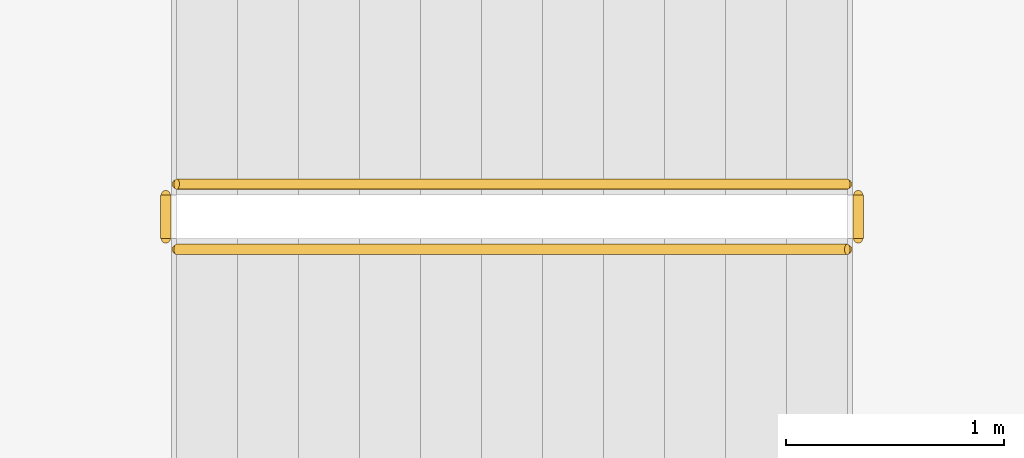
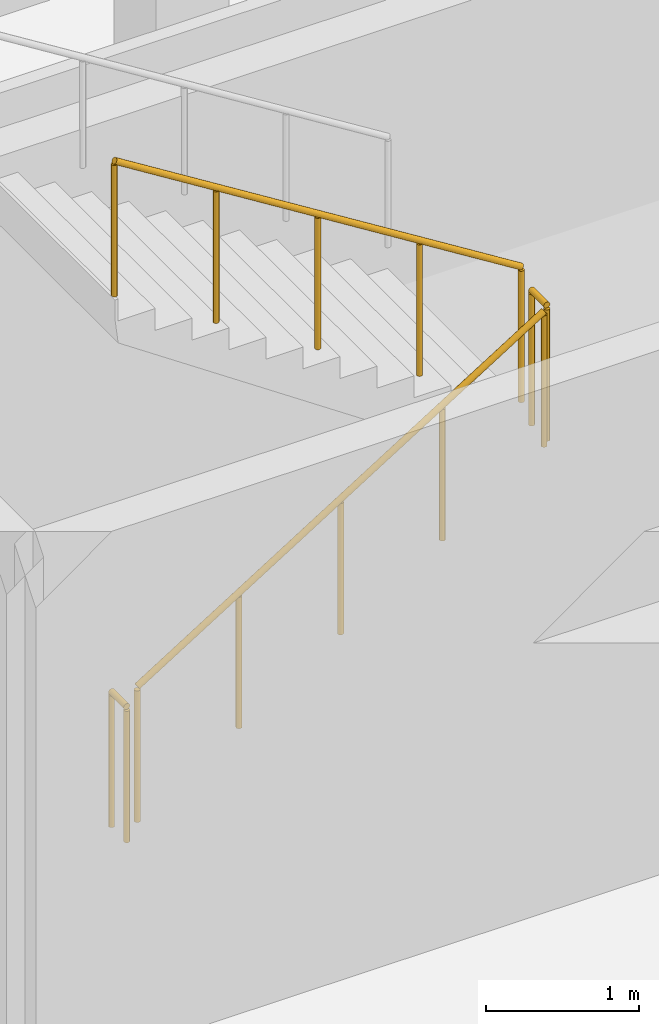
# One storey, part 40 of 42: 4 railings.
"""IFC4 building model written with IfcOpenShell, lengths in metres."""

import ifcopenshell
import ifcopenshell.guid

model = None  # the IFC model being written
_history = None  # IfcOwnerHistory: only IFC2X3 demands one
_inside = {}  # id of a spatial element -> (the spatial element, [elements in it])
_under = {}  # id of a project, library or spatial element -> (it, [spatial elements below it])
_declared = {}  # id of a project -> (the project, [libraries it declares])
_typed = {}  # id of a type object -> (the type object, [elements of that type])
_made_of = {}  # id of a material, layer set ... -> (it, [elements and type objects made of it])


def new_model(schema):
    """Start an empty IFC model of exactly this schema.

    Asked for "IFC4X3", IfcOpenShell would pick the latest addendum, in which some entities
    have other attributes; the version numbers below select the first issue.
    IFC2X3 requires an IfcOwnerHistory on every rooted entity: one is made here for all.
    """
    global model, _history
    if schema == "IFC4X3":
        model = ifcopenshell.file(schema_version=(4, 3, 0, 0))
    else:
        model = ifcopenshell.file(schema=schema)
    _inside.clear()
    _under.clear()
    _declared.clear()
    _typed.clear()
    _made_of.clear()
    _history = None
    if model.schema == "IFC2X3":
        org = make("IfcOrganization", Name="unknown")
        user = make(
            "IfcPersonAndOrganization",
            ThePerson=make("IfcPerson", FamilyName="unknown"),
            TheOrganization=org,
        )
        app = make(
            "IfcApplication",
            ApplicationDeveloper=org,
            Version="unknown",
            ApplicationFullName="unknown",
            ApplicationIdentifier="unknown",
        )
        _history = make(
            "IfcOwnerHistory",
            OwningUser=user,
            OwningApplication=app,
            ChangeAction="ADDED",
            CreationDate=0,
        )
    return model


def make(cls, **values):
    """One entity of the class cls with the attributes given. An attribute that is None is left unset."""
    return model.create_entity(
        cls, **{name: value for name, value in values.items() if value is not None}
    )


def rooted(cls, **values):
    """An entity with a GlobalId (a new one), such as an element, a storey or a relation."""
    return make(cls, GlobalId=ifcopenshell.guid.new(), OwnerHistory=_history, **values)


def si_unit(unit_type, name, prefix=None):
    """IfcSIUnit, for example si_unit("LENGTHUNIT", "METRE", prefix="MILLI")."""
    return make("IfcSIUnit", UnitType=unit_type, Prefix=prefix, Name=name)


def assignment(units):
    """IfcUnitAssignment: the units of a project."""
    return None if units is None else make("IfcUnitAssignment", Units=units)


def point(xyz):
    """IfcCartesianPoint."""
    return None if xyz is None else make("IfcCartesianPoint", Coordinates=xyz)


def direction(xyz):
    """IfcDirection."""
    return None if xyz is None else make("IfcDirection", DirectionRatios=xyz)


def frame(location, z_axis=None, x_axis=None):
    """IfcAxis2Placement3D, a coordinate frame: its origin and axes. An axis left out is left unset."""
    return make(
        "IfcAxis2Placement3D",
        Location=point(location),
        Axis=direction(z_axis),
        RefDirection=direction(x_axis),
    )


def frame_2d(location, x_axis=None):
    """IfcAxis2Placement2D, a coordinate frame in the plane: its origin and x axis."""
    return make(
        "IfcAxis2Placement2D", Location=point(location), RefDirection=direction(x_axis)
    )


def origin():
    """The frame at (0, 0, 0) with its axes left unset."""
    return frame((0.0, 0.0, 0.0))


def origin_2d():
    """The frame at (0, 0) in the plane with its x axis left unset."""
    return frame_2d((0.0, 0.0))


def place(relative_to, where):
    """IfcLocalPlacement: puts the frame where relative to a parent placement (None: the world)."""
    return make(
        "IfcLocalPlacement", PlacementRelTo=relative_to, RelativePlacement=where
    )


def context(
    kind, dimensions, precision=None, world=None, true_north=None, identifier=None
):
    """IfcGeometricRepresentationContext, for example the 3D "Model" context."""
    return make(
        "IfcGeometricRepresentationContext",
        ContextIdentifier=identifier,
        ContextType=kind,
        CoordinateSpaceDimension=dimensions,
        Precision=precision,
        WorldCoordinateSystem=world,
        TrueNorth=true_north,
    )


def subcontext(parent, identifier, kind, view, scale=None):
    """IfcGeometricRepresentationSubContext, for example "Body" below "Model"."""
    return make(
        "IfcGeometricRepresentationSubContext",
        ContextIdentifier=identifier,
        ContextType=kind,
        ParentContext=parent,
        TargetScale=scale,
        TargetView=view,
    )


def project(units=None, contexts=None):
    """IfcProject with its units and contexts."""
    return rooted(
        "IfcProject",
        Name="project",
        RepresentationContexts=contexts,
        UnitsInContext=assignment(units),
    )


def spatial(cls, under=None, at=None, **own):
    """A site, building, storey or space (cls), placed at a placement, below another one or the project."""
    s = rooted(cls, ObjectPlacement=at, **own)
    if under is not None:
        _under.setdefault(under.id(), (under, []))[1].append(s)
    return s


def profile(cls, at=None, kind="AREA", **sizes):
    """A parametric profile (cls). Its sizes go by their IFC names, for example OverallWidth=200.0."""
    return make(cls, ProfileType=kind, Position=at, **sizes)


def circle(**sizes):
    """IfcCircleProfileDef."""
    return profile("IfcCircleProfileDef", **sizes)


def extrude(swept, where, along, depth):
    """IfcExtrudedAreaSolid: the profile swept, set in the frame where, extruded along a direction by depth."""
    return make(
        "IfcExtrudedAreaSolid",
        SweptArea=swept,
        Position=where,
        ExtrudedDirection=direction(along),
        Depth=depth,
    )


def shape(context_of_items, identifier, shape_type, items):
    """IfcShapeRepresentation: the items that make up one representation, for example the "Body"."""
    return make(
        "IfcShapeRepresentation",
        ContextOfItems=context_of_items,
        RepresentationIdentifier=identifier,
        RepresentationType=shape_type,
        Items=items,
    )


def material(Name=None, Category=None):
    """IfcMaterial."""
    return make("IfcMaterial", Name=Name, Category=Category)


def made_of(thing, what):
    """Note that an element or type object is made of a material, layer set ...; save() writes the relation."""
    if what is not None:
        _made_of.setdefault(what.id(), (what, []))[1].append(thing)
    return thing


def type_object(cls, material=None, **own):
    """A type object (cls), such as IfcWallType, which elements share."""
    return made_of(rooted(cls, **own), material)


def element(
    cls,
    number,
    at=None,
    inside=None,
    cuts=None,
    type_object=None,
    material=None,
    context=None,
    identifier="Body",
    shape_type=None,
    held_by="IfcProductDefinitionShape",
    body=None,
    shapes=None,
    **own,
):
    """One element of the class cls, such as IfcWall. Its Tag is "e" and its number.

    at: its placement. inside: the storey or other place that contains it. cuts: it is an
    opening in that element (IfcRelVoidsElement). A single representation is given by context,
    identifier, shape_type and body (its items); several are given by shapes. held_by: the class
    of the entity that holds the representations. save() writes the other relations.
    """
    e = rooted(cls, Tag="e%d" % number, ObjectPlacement=at, **own)
    if body is not None:
        shapes = [shape(context, identifier, shape_type, body)]
    if shapes is not None:
        e.Representation = make(held_by, Representations=shapes)
    if inside is not None:
        _inside.setdefault(inside.id(), (inside, []))[1].append(e)
    if cuts is not None:
        rooted(
            "IfcRelVoidsElement", RelatingBuildingElement=cuts, RelatedOpeningElement=e
        )
    if type_object is not None:
        _typed.setdefault(type_object.id(), (type_object, []))[1].append(e)
    return made_of(e, material)


def aggregate(whole, parts):
    """IfcRelAggregates: a whole, such as a stair, and the parts it consists of."""
    return rooted("IfcRelAggregates", RelatingObject=whole, RelatedObjects=parts)


def save(model, path):
    """Write the relations noted so far, then the file.

    IfcRelAggregates (storeys below a building ...), IfcRelContainedInSpatialStructure (elements
    in a storey), IfcRelDefinesByType, IfcRelAssociatesMaterial and IfcRelDeclares: one each for
    every whole, place, type object, material and project.
    """
    for whole, parts in _under.values():
        aggregate(whole, parts)
    for where, things in _inside.values():
        rooted(
            "IfcRelContainedInSpatialStructure",
            RelatedElements=things,
            RelatingStructure=where,
        )
    for kind, things in _typed.values():
        rooted("IfcRelDefinesByType", RelatedObjects=things, RelatingType=kind)
    for what, things in _made_of.values():
        rooted("IfcRelAssociatesMaterial", RelatedObjects=things, RelatingMaterial=what)
    for by, libraries in _declared.values():
        rooted("IfcRelDeclares", RelatingContext=by, RelatedDefinitions=libraries)
    model.write(path)


model = new_model("IFC4")

# Units and contexts
model_context = context("Model", 3, precision=1e-05, world=origin(), true_north=direction((0.0, 1.0)))
body_context = subcontext(model_context, "Body", "Model", "MODEL_VIEW")
ifc_project = project(units=[si_unit("LENGTHUNIT", "METRE"), si_unit("AREAUNIT", "SQUARE_METRE"), si_unit("VOLUMEUNIT", "CUBIC_METRE"), si_unit("PLANEANGLEUNIT", "RADIAN"), si_unit("MASSUNIT", "GRAM", prefix="KILO")], contexts=[model_context])

# Site, building, storey
site_placement = place(None, origin())
site = spatial("IfcSite", under=ifc_project, at=site_placement, CompositionType="ELEMENT")
building_placement = place(site_placement, origin())
building = spatial("IfcBuilding", under=site, at=building_placement, Name="Varncliffe General Hospital", CompositionType="ELEMENT")
storey_placement = place(building_placement, frame((0.0, 0.0, 20.39990234375)))
storey = spatial("IfcBuildingStorey", under=building, at=storey_placement, Name="L04", CompositionType="ELEMENT", Elevation=20.39990234375)

# Railings
ifc_material = material(Name="Powder-coated hospital steel guardrail and handrail", Category="steel")
railing_type = type_object("IfcRailingType", Name="Stairwell Guardrail SG49", PredefinedType="GUARDRAIL", material=ifc_material)
railing_1_placement = place(storey_placement, frame((165.199951171875, 61.60009765625, 0.175048828125)))
element("IfcRailing", 1, at=railing_1_placement, inside=storey, type_object=railing_type, Name="L04 ST07 stair guard 1", PredefinedType="GUARDRAIL", context=body_context, shape_type="SweptSolid", body=[
    extrude(circle(Radius=0.02392578125, at=origin_2d()), frame((0.0, 0.0, 1.076171875), z_axis=(0.847998304005, 0.0, 0.529998940003), x_axis=(0.0, 1.0, 0.0)), (0.0, 0.0, 1.0), 3.632080078125),
    extrude(circle(Radius=0.02099609375, at=origin_2d()), origin(), (0.0, 0.0, 1.0), 1.052001953125),
    extrude(circle(Radius=0.02099609375, at=origin_2d()), frame((0.77001953125, 0.0, 0.481201171875)), (0.0, 0.0, 1.0), 1.052001953125),
    extrude(circle(Radius=0.02099609375, at=origin_2d()), frame((1.5400390625, 0.0, 0.96240234375)), (0.0, 0.0, 1.0), 1.052001953125),
    extrude(circle(Radius=0.02099609375, at=origin_2d()), frame((2.31005859375, 0.0, 1.44384765625)), (0.0, 0.0, 1.0), 1.052001953125),
    extrude(circle(Radius=0.02099609375, at=origin_2d()), frame((3.080078125, 0.0, 1.925048828125)), (0.0, 0.0, 1.0), 1.052001953125),
])
railing_2_placement = place(storey_placement, frame((168.330078125, 61.64990234375, 2.10009765625)))
element("IfcRailing", 2, at=railing_2_placement, inside=storey, type_object=railing_type, Name="L04 ST07 stair guard 2", PredefinedType="GUARDRAIL", context=body_context, shape_type="SweptSolid", body=[
    extrude(circle(Radius=0.02392578125, at=origin_2d()), frame((0.0, 0.0, 1.076171875), z_axis=(0.0, 1.0, 0.0), x_axis=(-1.0, 0.0, 0.0)), (0.0, 0.0, 1.0), 0.2001953125),
    extrude(circle(Radius=0.02099609375, at=origin_2d()), origin(), (0.0, 0.0, 1.0), 1.052001953125),
    extrude(circle(Radius=0.02099609375, at=origin_2d()), frame((0.0, 0.2001953125, 0.0)), (0.0, 0.0, 1.0), 1.052001953125),
])
railing_3_placement = place(storey_placement, frame((168.280029296875, 61.89990234375, 2.275146484375)))
element("IfcRailing", 3, at=railing_3_placement, inside=storey, type_object=railing_type, Name="L04 ST07 stair guard 3", PredefinedType="GUARDRAIL", context=body_context, shape_type="SweptSolid", body=[
    extrude(circle(Radius=0.02392578125, at=origin_2d()), frame((0.0, 0.0, 1.076171875), z_axis=(-0.847998304005, 0.0, 0.529998940003), x_axis=(0.0, -1.0, 0.0)), (0.0, 0.0, 1.0), 3.632080078125),
    extrude(circle(Radius=0.02099609375, at=origin_2d()), origin(), (0.0, 0.0, 1.0), 1.052001953125),
    extrude(circle(Radius=0.02099609375, at=origin_2d()), frame((-0.77001953125, 0.0, 0.481201171875)), (0.0, 0.0, 1.0), 1.052001953125),
    extrude(circle(Radius=0.02099609375, at=origin_2d()), frame((-1.5400390625, 0.0, 0.96240234375)), (0.0, 0.0, 1.0), 1.052001953125),
    extrude(circle(Radius=0.02099609375, at=origin_2d()), frame((-2.31005859375, 0.0, 1.44384765625)), (0.0, 0.0, 1.0), 1.052001953125),
    extrude(circle(Radius=0.02099609375, at=origin_2d()), frame((-3.080078125, 0.0, 1.925048828125)), (0.0, 0.0, 1.0), 1.052001953125),
])
railing_4_placement = place(storey_placement, frame((165.14990234375, 61.64990234375, 0.0)))
element("IfcRailing", 4, at=railing_4_placement, inside=storey, type_object=railing_type, Name="L04 ST07 stair guard 4", PredefinedType="GUARDRAIL", context=body_context, shape_type="SweptSolid", body=[
    extrude(circle(Radius=0.02392578125, at=origin_2d()), frame((0.0, 0.0, 1.076171875), z_axis=(0.0, 1.0, 0.0), x_axis=(-1.0, 0.0, 0.0)), (0.0, 0.0, 1.0), 0.2001953125),
    extrude(circle(Radius=0.02099609375, at=origin_2d()), origin(), (0.0, 0.0, 1.0), 1.052001953125),
    extrude(circle(Radius=0.02099609375, at=origin_2d()), frame((0.0, 0.2001953125, 0.0)), (0.0, 0.0, 1.0), 1.052001953125),
])

save(model, "model.ifc")
